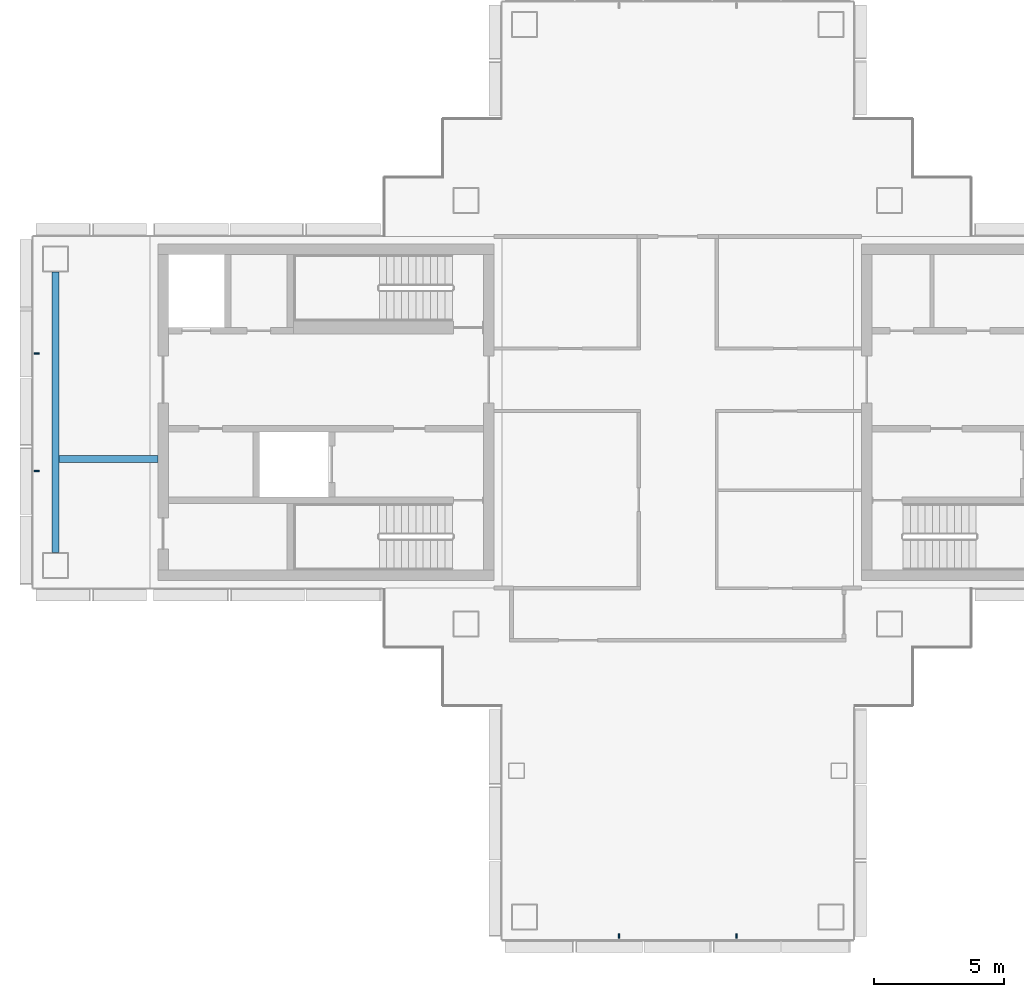
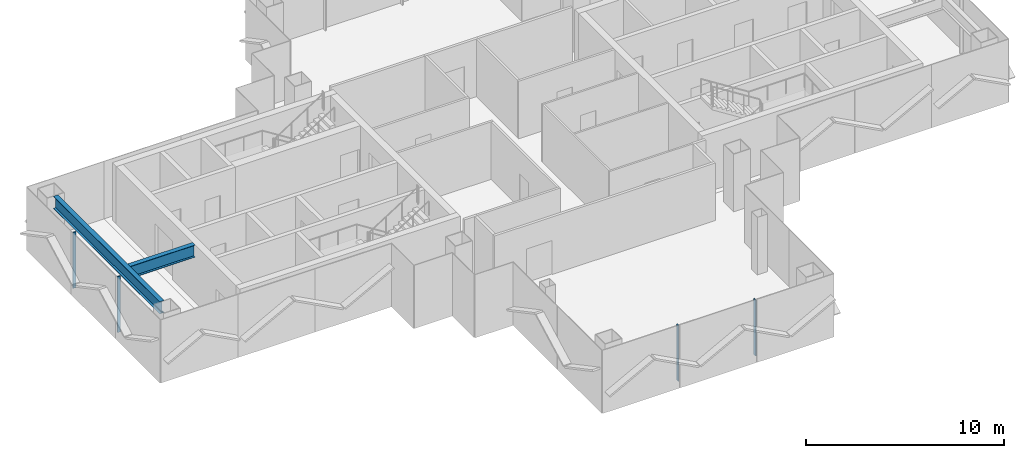
# One storey, part 3 of 17: 4 members, 2 beams, 2 elements without a shape of their own.
"""IFC4 building model written with IfcOpenShell, lengths in metres."""

from ifc_helpers import new_model, si_unit, direction, frame, origin, origin_2d, place, context, subcontext, project, spatial, rectangle, i_section, extrude, material, layer, layer_set, material_profile, profile_set, type_object, element, aggregate, save


model = new_model("IFC4")

# Units and contexts
model_context = context("Model", 3, precision=1e-05, world=origin(), true_north=direction((0.0, 1.0)))
body_context = subcontext(model_context, "Body", "Model", "MODEL_VIEW")
ifc_project = project(units=[si_unit("LENGTHUNIT", "METRE"), si_unit("AREAUNIT", "SQUARE_METRE"), si_unit("VOLUMEUNIT", "CUBIC_METRE"), si_unit("PLANEANGLEUNIT", "RADIAN"), si_unit("MASSUNIT", "GRAM", prefix="KILO")], contexts=[model_context])

# Site, building, storey
site_placement = place(None, origin())
site = spatial("IfcSite", under=ifc_project, at=site_placement, CompositionType="ELEMENT")
building_placement = place(site_placement, origin())
building = spatial("IfcBuilding", under=site, at=building_placement, Name="Shamsa Quay Exchange Towers", CompositionType="ELEMENT")
storey_placement = place(building_placement, frame((0.0, 0.0, 198.300048828125)))
storey = spatial("IfcBuildingStorey", under=building, at=storey_placement, Name="L47", CompositionType="ELEMENT", Elevation=198.300048828125)

# Curtain wall, members
ifc_material_1 = material(Name="Aluminium EN AW-6063 T6, black anodised", Category="aluminium")
ifc_layer = layer(ifc_material_1, 0.280029296875)
ifc_layer_set = layer_set([ifc_layer], Name="CW-1 UNITISED VISION GLASS")
curtain_wall_type = type_object("IfcCurtainWallType", Name="CW-1 UNITISED VISION GLASS", PredefinedType="NOTDEFINED", material=ifc_layer_set)
curtain_wall_1_placement = place(storey_placement, origin())
curtain_wall_1 = element("IfcCurtainWall", 1, at=curtain_wall_1_placement, inside=storey, type_object=curtain_wall_type, Name="CW1 T1-END-V- L47", PredefinedType="NOTDEFINED")
ifc_material_profile_1 = material_profile(ifc_material_1, rectangle(XDim=0.179931640625, YDim=0.06005859375, at=origin_2d()), Name="MU60x180")
ifc_profile_set_1 = profile_set([ifc_material_profile_1], Name="Aluminium EN AW-6063 T6, black anodised")
member_type = type_object("IfcMemberType", Name="CW1 MULLION 60x180", PredefinedType="MULLION", material=ifc_profile_set_1)
member_1_placement = place(storey_placement, frame((-36.0, -20.10009765625, 0.0), z_axis=(0.0, 0.0, 1.0), x_axis=(0.0, 1.0, 0.0)))
member_1 = element("IfcMember", 2, at=member_1_placement, type_object=member_type, Name="CW1 mullion", PredefinedType="MULLION", context=body_context, shape_type="SweptSolid", body=[
    extrude(rectangle(XDim=0.179931640625, YDim=0.06005859375, at=origin_2d()), origin(), (0.0, 0.0, 1.0), 3.449951171875),
])
member_2_placement = place(storey_placement, frame((-31.5, -20.10009765625, 0.0), z_axis=(0.0, 0.0, 1.0), x_axis=(0.0, 1.0, 0.0)))
member_2 = element("IfcMember", 3, at=member_2_placement, type_object=member_type, Name="CW1 mullion", PredefinedType="MULLION", context=body_context, shape_type="SweptSolid", body=[
    extrude(rectangle(XDim=0.179931640625, YDim=0.06005859375, at=origin_2d()), origin(), (0.0, 0.0, 1.0), 3.449951171875),
])
aggregate(curtain_wall_1, [member_1, member_2])

curtain_wall_2_placement = place(storey_placement, origin())
curtain_wall_2 = element("IfcCurtainWall", 4, at=curtain_wall_2_placement, inside=storey, type_object=curtain_wall_type, Name="CW1 T1-END-U- L47", PredefinedType="NOTDEFINED")
member_3_placement = place(storey_placement, frame((-58.35009765625, 2.25, 0.0)))
member_3 = element("IfcMember", 5, at=member_3_placement, type_object=member_type, Name="CW1 mullion", PredefinedType="MULLION", context=body_context, shape_type="SweptSolid", body=[
    extrude(rectangle(XDim=0.179931640625, YDim=0.06005859375, at=origin_2d()), origin(), (0.0, 0.0, 1.0), 3.449951171875),
])
member_4_placement = place(storey_placement, frame((-58.35009765625, -2.25, 0.0)))
member_4 = element("IfcMember", 6, at=member_4_placement, type_object=member_type, Name="CW1 mullion", PredefinedType="MULLION", context=body_context, shape_type="SweptSolid", body=[
    extrude(rectangle(XDim=0.179931640625, YDim=0.06005859375, at=origin_2d()), origin(), (0.0, 0.0, 1.0), 3.449951171875),
])
aggregate(curtain_wall_2, [member_3, member_4])

# Beams
ifc_material_2 = material(Name="Steel S355", Category="steel")
ifc_material_profile_2 = material_profile(ifc_material_2, i_section(OverallWidth=0.26611328125, OverallDepth=0.7578125, WebThickness=0.013916015625, FlangeThickness=0.019287109375, at=origin_2d()), Name="W30x108")
ifc_profile_set_2 = profile_set([ifc_material_profile_2], Name="Steel S355")
beam_type = type_object("IfcBeamType", Name="End-zone beam W30x108", PredefinedType="BEAM", material=ifc_profile_set_2)
beam_1_placement = place(storey_placement, frame((-57.625, -5.375, 3.171142578125), z_axis=(0.0, 1.0, 0.0), x_axis=(-1.0, 0.0, 0.0)))
element("IfcBeam", 7, at=beam_1_placement, inside=storey, type_object=beam_type, Name="End beam T1 U- end zone L47", PredefinedType="BEAM", context=body_context, shape_type="SweptSolid", body=[
    extrude(i_section(OverallWidth=0.26611328125, OverallDepth=0.7578125, WebThickness=0.013916015625, FlangeThickness=0.019287109375, at=origin_2d()), origin(), (0.0, 0.0, 1.0), 10.75),
])
beam_2_placement = place(storey_placement, frame((-53.699951171875, -1.800048828125, 3.171142578125), z_axis=(-1.0, 0.0, 0.0), x_axis=(0.0, -1.0, 0.0)))
element("IfcBeam", 8, at=beam_2_placement, inside=storey, type_object=beam_type, Name="Spine beam T1 U- end zone L47", PredefinedType="BEAM", context=body_context, shape_type="SweptSolid", body=[
    extrude(i_section(OverallWidth=0.26611328125, OverallDepth=0.7578125, WebThickness=0.013916015625, FlangeThickness=0.019287109375, at=origin_2d()), origin(), (0.0, 0.0, 1.0), 3.7919921875),
])

save(model, "model.ifc")
